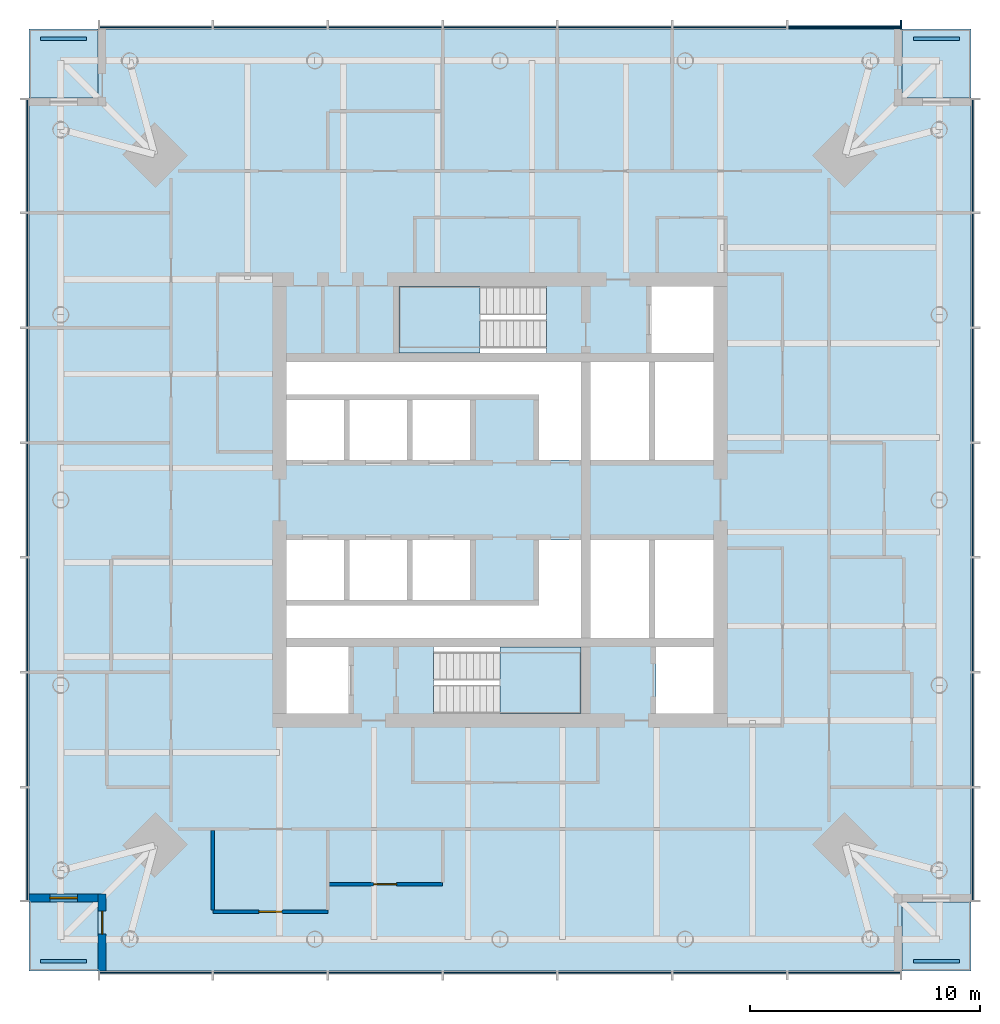
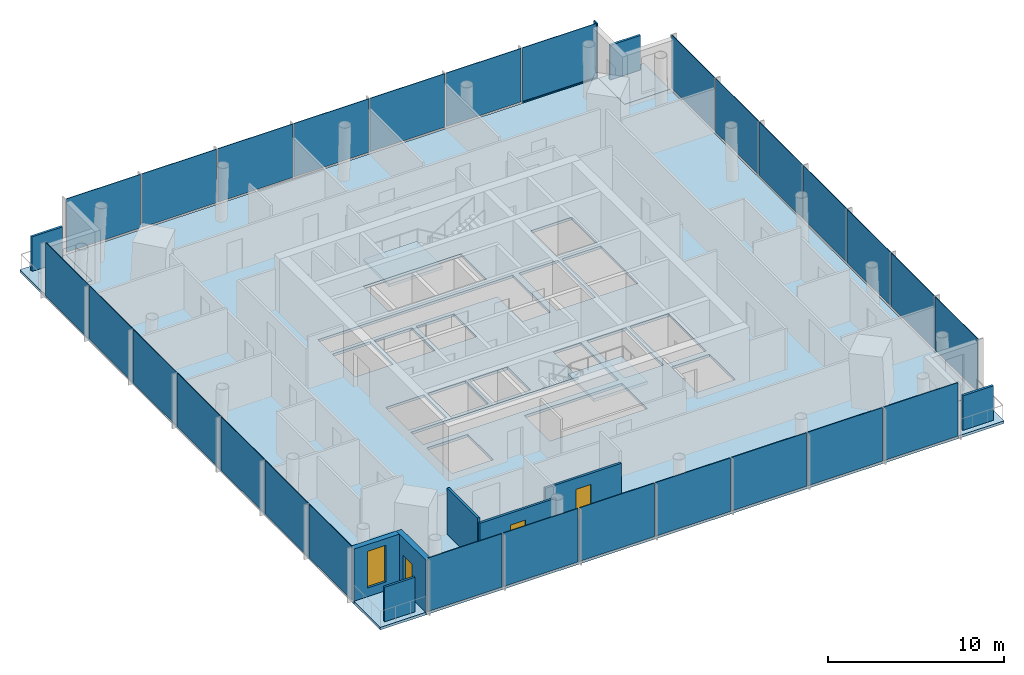
# One storey, part 3 of 8: 32 plates, 7 slabs, 5 walls, 3 doors, 2 members, 1 window, 4 openings, 6 elements without a shape of their own.
"""IFC4 building model written with IfcOpenShell, lengths in metres."""

import ifcopenshell
import ifcopenshell.guid

model = None  # the IFC model being written
_history = None  # IfcOwnerHistory: only IFC2X3 demands one
_inside = {}  # id of a spatial element -> (the spatial element, [elements in it])
_under = {}  # id of a project, library or spatial element -> (it, [spatial elements below it])
_declared = {}  # id of a project -> (the project, [libraries it declares])
_typed = {}  # id of a type object -> (the type object, [elements of that type])
_made_of = {}  # id of a material, layer set ... -> (it, [elements and type objects made of it])


def new_model(schema):
    """Start an empty IFC model of exactly this schema.

    Asked for "IFC4X3", IfcOpenShell would pick the latest addendum, in which some entities
    have other attributes; the version numbers below select the first issue.
    IFC2X3 requires an IfcOwnerHistory on every rooted entity: one is made here for all.
    """
    global model, _history
    if schema == "IFC4X3":
        model = ifcopenshell.file(schema_version=(4, 3, 0, 0))
    else:
        model = ifcopenshell.file(schema=schema)
    _inside.clear()
    _under.clear()
    _declared.clear()
    _typed.clear()
    _made_of.clear()
    _history = None
    if model.schema == "IFC2X3":
        org = make("IfcOrganization", Name="unknown")
        user = make(
            "IfcPersonAndOrganization",
            ThePerson=make("IfcPerson", FamilyName="unknown"),
            TheOrganization=org,
        )
        app = make(
            "IfcApplication",
            ApplicationDeveloper=org,
            Version="unknown",
            ApplicationFullName="unknown",
            ApplicationIdentifier="unknown",
        )
        _history = make(
            "IfcOwnerHistory",
            OwningUser=user,
            OwningApplication=app,
            ChangeAction="ADDED",
            CreationDate=0,
        )
    return model


def make(cls, **values):
    """One entity of the class cls with the attributes given. An attribute that is None is left unset."""
    return model.create_entity(
        cls, **{name: value for name, value in values.items() if value is not None}
    )


def rooted(cls, **values):
    """An entity with a GlobalId (a new one), such as an element, a storey or a relation."""
    return make(cls, GlobalId=ifcopenshell.guid.new(), OwnerHistory=_history, **values)


def si_unit(unit_type, name, prefix=None):
    """IfcSIUnit, for example si_unit("LENGTHUNIT", "METRE", prefix="MILLI")."""
    return make("IfcSIUnit", UnitType=unit_type, Prefix=prefix, Name=name)


def assignment(units):
    """IfcUnitAssignment: the units of a project."""
    return None if units is None else make("IfcUnitAssignment", Units=units)


def point(xyz):
    """IfcCartesianPoint."""
    return None if xyz is None else make("IfcCartesianPoint", Coordinates=xyz)


def direction(xyz):
    """IfcDirection."""
    return None if xyz is None else make("IfcDirection", DirectionRatios=xyz)


def frame(location, z_axis=None, x_axis=None):
    """IfcAxis2Placement3D, a coordinate frame: its origin and axes. An axis left out is left unset."""
    return make(
        "IfcAxis2Placement3D",
        Location=point(location),
        Axis=direction(z_axis),
        RefDirection=direction(x_axis),
    )


def frame_2d(location, x_axis=None):
    """IfcAxis2Placement2D, a coordinate frame in the plane: its origin and x axis."""
    return make(
        "IfcAxis2Placement2D", Location=point(location), RefDirection=direction(x_axis)
    )


def origin():
    """The frame at (0, 0, 0) with its axes left unset."""
    return frame((0.0, 0.0, 0.0))


def origin_2d():
    """The frame at (0, 0) in the plane with its x axis left unset."""
    return frame_2d((0.0, 0.0))


def place(relative_to, where):
    """IfcLocalPlacement: puts the frame where relative to a parent placement (None: the world)."""
    return make(
        "IfcLocalPlacement", PlacementRelTo=relative_to, RelativePlacement=where
    )


def context(
    kind, dimensions, precision=None, world=None, true_north=None, identifier=None
):
    """IfcGeometricRepresentationContext, for example the 3D "Model" context."""
    return make(
        "IfcGeometricRepresentationContext",
        ContextIdentifier=identifier,
        ContextType=kind,
        CoordinateSpaceDimension=dimensions,
        Precision=precision,
        WorldCoordinateSystem=world,
        TrueNorth=true_north,
    )


def subcontext(parent, identifier, kind, view, scale=None):
    """IfcGeometricRepresentationSubContext, for example "Body" below "Model"."""
    return make(
        "IfcGeometricRepresentationSubContext",
        ContextIdentifier=identifier,
        ContextType=kind,
        ParentContext=parent,
        TargetScale=scale,
        TargetView=view,
    )


def project(units=None, contexts=None):
    """IfcProject with its units and contexts."""
    return rooted(
        "IfcProject",
        Name="project",
        RepresentationContexts=contexts,
        UnitsInContext=assignment(units),
    )


def spatial(cls, under=None, at=None, **own):
    """A site, building, storey or space (cls), placed at a placement, below another one or the project."""
    s = rooted(cls, ObjectPlacement=at, **own)
    if under is not None:
        _under.setdefault(under.id(), (under, []))[1].append(s)
    return s


def polyline(points):
    """IfcPolyline through the points."""
    return make("IfcPolyline", Points=[point(p) for p in points])


def profile(cls, at=None, kind="AREA", **sizes):
    """A parametric profile (cls). Its sizes go by their IFC names, for example OverallWidth=200.0."""
    return make(cls, ProfileType=kind, Position=at, **sizes)


def rectangle(**sizes):
    """IfcRectangleProfileDef."""
    return profile("IfcRectangleProfileDef", **sizes)


def outline(outer, holes=None, kind="AREA"):
    """IfcArbitraryClosedProfileDef: a profile drawn as a closed curve; with holes, ...WithVoids."""
    if holes is None:
        return make("IfcArbitraryClosedProfileDef", ProfileType=kind, OuterCurve=outer)
    return make(
        "IfcArbitraryProfileDefWithVoids",
        ProfileType=kind,
        OuterCurve=outer,
        InnerCurves=holes,
    )


def extrude(swept, where, along, depth):
    """IfcExtrudedAreaSolid: the profile swept, set in the frame where, extruded along a direction by depth."""
    return make(
        "IfcExtrudedAreaSolid",
        SweptArea=swept,
        Position=where,
        ExtrudedDirection=direction(along),
        Depth=depth,
    )


def shape(context_of_items, identifier, shape_type, items):
    """IfcShapeRepresentation: the items that make up one representation, for example the "Body"."""
    return make(
        "IfcShapeRepresentation",
        ContextOfItems=context_of_items,
        RepresentationIdentifier=identifier,
        RepresentationType=shape_type,
        Items=items,
    )


def material(Name=None, Category=None):
    """IfcMaterial."""
    return make("IfcMaterial", Name=Name, Category=Category)


def layer(
    of_material, thickness, ventilated=None, Name=None, Category=None, Priority=None
):
    """IfcMaterialLayer: one layer of a wall or slab, of a material (None: an air gap)."""
    return make(
        "IfcMaterialLayer",
        Material=of_material,
        LayerThickness=thickness,
        IsVentilated=ventilated,
        Name=Name,
        Category=Category,
        Priority=Priority,
    )


def layer_set(layers, Name=None):
    """IfcMaterialLayerSet."""
    return make("IfcMaterialLayerSet", MaterialLayers=layers, LayerSetName=Name)


def material_profile(
    of_material, cross_section, Name=None, Category=None, Priority=None
):
    """IfcMaterialProfile: a cross section and its material."""
    return make(
        "IfcMaterialProfile",
        Name=Name,
        Material=of_material,
        Profile=cross_section,
        Priority=Priority,
        Category=Category,
    )


def profile_set(profiles, Name=None, composite=None):
    """IfcMaterialProfileSet."""
    return make(
        "IfcMaterialProfileSet",
        Name=Name,
        MaterialProfiles=profiles,
        CompositeProfile=composite,
    )


def made_of(thing, what):
    """Note that an element or type object is made of a material, layer set ...; save() writes the relation."""
    if what is not None:
        _made_of.setdefault(what.id(), (what, []))[1].append(thing)
    return thing


def type_object(cls, material=None, **own):
    """A type object (cls), such as IfcWallType, which elements share."""
    return made_of(rooted(cls, **own), material)


def element(
    cls,
    number,
    at=None,
    inside=None,
    cuts=None,
    type_object=None,
    material=None,
    context=None,
    identifier="Body",
    shape_type=None,
    held_by="IfcProductDefinitionShape",
    body=None,
    shapes=None,
    **own,
):
    """One element of the class cls, such as IfcWall. Its Tag is "e" and its number.

    at: its placement. inside: the storey or other place that contains it. cuts: it is an
    opening in that element (IfcRelVoidsElement). A single representation is given by context,
    identifier, shape_type and body (its items); several are given by shapes. held_by: the class
    of the entity that holds the representations. save() writes the other relations.
    """
    e = rooted(cls, Tag="e%d" % number, ObjectPlacement=at, **own)
    if body is not None:
        shapes = [shape(context, identifier, shape_type, body)]
    if shapes is not None:
        e.Representation = make(held_by, Representations=shapes)
    if inside is not None:
        _inside.setdefault(inside.id(), (inside, []))[1].append(e)
    if cuts is not None:
        rooted(
            "IfcRelVoidsElement", RelatingBuildingElement=cuts, RelatedOpeningElement=e
        )
    if type_object is not None:
        _typed.setdefault(type_object.id(), (type_object, []))[1].append(e)
    return made_of(e, material)


def fill(opening, filler):
    """IfcRelFillsElement: the door or window that sits in an opening."""
    return rooted(
        "IfcRelFillsElement",
        RelatingOpeningElement=opening,
        RelatedBuildingElement=filler,
    )


def aggregate(whole, parts):
    """IfcRelAggregates: a whole, such as a stair, and the parts it consists of."""
    return rooted("IfcRelAggregates", RelatingObject=whole, RelatedObjects=parts)


def save(model, path):
    """Write the relations noted so far, then the file.

    IfcRelAggregates (storeys below a building ...), IfcRelContainedInSpatialStructure (elements
    in a storey), IfcRelDefinesByType, IfcRelAssociatesMaterial and IfcRelDeclares: one each for
    every whole, place, type object, material and project.
    """
    for whole, parts in _under.values():
        aggregate(whole, parts)
    for where, things in _inside.values():
        rooted(
            "IfcRelContainedInSpatialStructure",
            RelatedElements=things,
            RelatingStructure=where,
        )
    for kind, things in _typed.values():
        rooted("IfcRelDefinesByType", RelatedObjects=things, RelatingType=kind)
    for what, things in _made_of.values():
        rooted("IfcRelAssociatesMaterial", RelatedObjects=things, RelatingMaterial=what)
    for by, libraries in _declared.values():
        rooted("IfcRelDeclares", RelatingContext=by, RelatedDefinitions=libraries)
    model.write(path)


model = new_model("IFC4")

# Units and contexts
model_context = context("Model", 3, precision=1e-05, world=origin(), true_north=direction((0.0, 1.0)))
body_context = subcontext(model_context, "Body", "Model", "MODEL_VIEW")
ifc_project = project(units=[si_unit("LENGTHUNIT", "METRE"), si_unit("AREAUNIT", "SQUARE_METRE"), si_unit("VOLUMEUNIT", "CUBIC_METRE"), si_unit("PLANEANGLEUNIT", "RADIAN"), si_unit("MASSUNIT", "GRAM", prefix="KILO")], contexts=[model_context])

# Site, building, storey
site_placement = place(None, origin())
site = spatial("IfcSite", under=ifc_project, at=site_placement, CompositionType="ELEMENT")
building_placement = place(site_placement, origin())
building = spatial("IfcBuilding", under=site, at=building_placement, Name="Ostroluk Exchange", CompositionType="ELEMENT")
storey_placement = place(building_placement, frame((0.0, 0.0, 173.0)))
storey = spatial("IfcBuildingStorey", under=building, at=storey_placement, Name="L44", CompositionType="ELEMENT", Elevation=173.0)

# Curtain wall, members
ifc_material_1 = material(Name="Laminated clear glass", Category="glass")
curtain_wall_type = type_object("IfcCurtainWallType", Name="Office tower facade", PredefinedType="USERDEFINED", material=ifc_material_1)
curtain_wall_1_placement = place(storey_placement, origin())
curtain_wall_1 = element("IfcCurtainWall", 1, at=curtain_wall_1_placement, inside=storey, type_object=curtain_wall_type, Name="Office tower north facade L44", ObjectType="UNITISED CURTAIN WALL", PredefinedType="USERDEFINED")
ifc_material_2 = material(Name="Aluminium mullion", Category="aluminium")
ifc_material_profile_1 = material_profile(ifc_material_2, rectangle(XDim=0.14990234375, YDim=0.080078125, at=origin_2d()), Name="Sill transom 80 x 150")
ifc_profile_set_1 = profile_set([ifc_material_profile_1], Name="Aluminium mullion")
member_type_1 = type_object("IfcMemberType", Name="Sill transom 80 x 150", PredefinedType="USERDEFINED", material=ifc_profile_set_1)
member_1_placement = place(storey_placement, frame((62.419921875, 66.574951171875, 0.0400390625), z_axis=(-1.0, 0.0, 0.0), x_axis=(0.0, -1.0, 0.0)))
member_1 = element("IfcMember", 2, at=member_1_placement, type_object=member_type_1, Name="CW-O1 transom 1.1", ObjectType="TRANSOM", PredefinedType="USERDEFINED", context=body_context, shape_type="SweptSolid", body=[
    extrude(rectangle(XDim=0.14990234375, YDim=0.080078125, at=origin_2d()), origin(), (0.0, 0.0, 1.0), 4.8798828125),
])
ifc_material_3 = material(Name="Aluminium mullion with limestone facing", Category="masonry")
ifc_material_profile_2 = material_profile(ifc_material_3, rectangle(XDim=0.39990234375, YDim=0.080078125, at=origin_2d()), Name="Tracery mullion 80 x 400")
ifc_profile_set_2 = profile_set([ifc_material_profile_2], Name="Aluminium mullion with limestone facing")
member_type_2 = type_object("IfcMemberType", Name="Tracery mullion 80 x 400", PredefinedType="MULLION", material=ifc_profile_set_2)
member_2_placement = place(storey_placement, frame((62.4599609375, 66.699951171875, 0.0), z_axis=(0.0, 0.0, 1.0), x_axis=(0.0, -1.0, 0.0)))
member_2 = element("IfcMember", 3, at=member_2_placement, type_object=member_type_2, Name="CW-O1 mullion 1", PredefinedType="MULLION", context=body_context, shape_type="SweptSolid", body=[
    extrude(rectangle(XDim=0.39990234375, YDim=0.080078125, at=origin_2d()), origin(), (0.0, 0.0, 1.0), 3.800048828125),
])

# Slabs
ifc_material_4 = material(Name="Concrete C35/45", Category="concrete")
ifc_layer_1 = layer(ifc_material_4, 0.179931640625)
ifc_layer_set_1 = layer_set([ifc_layer_1], Name="Balcony slab 180")
slab_type_1 = type_object("IfcSlabType", Name="Balcony slab 180", PredefinedType="USERDEFINED", material=ifc_layer_set_1)
slab_1_placement = place(storey_placement, frame((0.0, 0.0, -0.179931640625)))
element("IfcSlab", 4, at=slab_1_placement, inside=storey, type_object=slab_type_1, Name="Office tower SE corner balcony L44", ObjectType="BALCONY", PredefinedType="USERDEFINED", context=body_context, shape_type="SweptSolid", body=[
    extrude(outline(polyline([(62.5, 25.5), (65.5, 25.5), (65.5, 28.5), (62.5, 28.5), (62.5, 25.5)])), origin(), (0.0, 0.0, 1.0), 0.179931640625),
])
slab_2_placement = place(storey_placement, frame((0.0, 0.0, -0.179931640625)))
element("IfcSlab", 5, at=slab_2_placement, inside=storey, type_object=slab_type_1, Name="Office tower NE corner balcony L44", ObjectType="BALCONY", PredefinedType="USERDEFINED", context=body_context, shape_type="SweptSolid", body=[
    extrude(outline(polyline([(62.5, 63.5), (65.5, 63.5), (65.5, 66.5), (62.5, 66.5), (62.5, 63.5)])), origin(), (0.0, 0.0, 1.0), 0.179931640625),
])
slab_3_placement = place(storey_placement, frame((0.0, 0.0, -0.179931640625)))
element("IfcSlab", 6, at=slab_3_placement, inside=storey, type_object=slab_type_1, Name="Office tower NW corner balcony L44", ObjectType="BALCONY", PredefinedType="USERDEFINED", context=body_context, shape_type="SweptSolid", body=[
    extrude(outline(polyline([(24.5, 63.5), (27.5, 63.5), (27.5, 66.5), (24.5, 66.5), (24.5, 63.5)])), origin(), (0.0, 0.0, 1.0), 0.179931640625),
])
slab_4_placement = place(storey_placement, frame((0.0, 0.0, -0.179931640625)))
element("IfcSlab", 7, at=slab_4_placement, inside=storey, type_object=slab_type_1, Name="Office tower SW corner balcony L44", ObjectType="BALCONY", PredefinedType="USERDEFINED", context=body_context, shape_type="SweptSolid", body=[
    extrude(outline(polyline([(24.5, 25.5), (27.5, 25.5), (27.5, 28.5), (24.5, 28.5), (24.5, 25.5)])), origin(), (0.0, 0.0, 1.0), 0.179931640625),
])

# Plates
ifc_material_5 = material(Name="Steel S355 trellis with planting", Category="steel")
ifc_layer_2 = layer(ifc_material_5, 0.14990234375)
ifc_layer_set_2 = layer_set([ifc_layer_2], Name="Planted screen 150")
plate_type_1 = type_object("IfcPlateType", Name="Planted screen 150", PredefinedType="USERDEFINED", material=ifc_layer_set_2)
for number, where, z_axis, x_axis, name in (
    (8, (64.0, 25.925048828125, 0.0), (0.0, 0.0, 1.0), (1.0, 0.0, 0.0), "Office tower SE planted screen L44"),
    (9, (64.0, 66.074951171875, 0.0), (0.0, 0.0, 1.0), (1.0, 0.0, 0.0), "Office tower NE planted screen L44"),
    (10, (26.0, 66.074951171875, 0.0), (0.0, 0.0, 1.0), (1.0, 0.0, 0.0), "Office tower NW planted screen L44"),
    (11, (26.0, 25.925048828125, 0.0), (0.0, 0.0, 1.0), (1.0, 0.0, 0.0), "Office tower SW planted screen L44"),
):
    element("IfcPlate", number, at=place(storey_placement, frame(where, z_axis=z_axis, x_axis=x_axis)), inside=storey, type_object=plate_type_1, Name=name, ObjectType="PLANTED SCREEN", PredefinedType="USERDEFINED", context=body_context, shape_type="SweptSolid", body=[
        extrude(rectangle(XDim=2.0, YDim=0.14990234375, at=origin_2d()), origin(), (0.0, 0.0, 1.0), 2.39990234375),
    ])

# Stair, slab
ifc_material_6 = material(Name="Concrete C30/37", Category="concrete")
stair_type = type_object("IfcStairType", Name="Exit stair half turn 3800", PredefinedType="HALF_TURN_STAIR", material=ifc_material_6)
stair_1_placement = place(storey_placement, origin())
stair_1 = element("IfcStair", 12, at=stair_1_placement, inside=storey, type_object=stair_type, Name="Stair T1-S1 L44", PredefinedType="HALF_TURN_STAIR")
ifc_material_7 = material(Name="Concrete C30/37", Category="concrete")
ifc_layer_3 = layer(ifc_material_7, 0.199951171875)
ifc_layer_set_3 = layer_set([ifc_layer_3], Name="Stair landing 200")
slab_type_2 = type_object("IfcSlabType", Name="Stair landing 200", PredefinedType="LANDING", material=ifc_layer_set_3)
slab_5_placement = place(storey_placement, frame((0.0, 0.0, 1.699951171875)))
slab_5 = element("IfcSlab", 13, at=slab_5_placement, type_object=slab_type_2, Name="T1-S1 landing 1", PredefinedType="LANDING", context=body_context, shape_type="SweptSolid", body=[
    extrude(outline(polyline([(45.0, 36.699951171875), (45.0, 39.60009765625), (48.530029296875, 39.60009765625), (48.530029296875, 36.699951171875), (45.0, 36.699951171875)])), origin(), (0.0, 0.0, 1.0), 0.199951171875),
])
aggregate(stair_1, [slab_5])

stair_2_placement = place(storey_placement, origin())
stair_2 = element("IfcStair", 14, at=stair_2_placement, inside=storey, type_object=stair_type, Name="Stair T1-S2 L44", PredefinedType="HALF_TURN_STAIR")
slab_6_placement = place(storey_placement, frame((0.0, 0.0, 1.699951171875)))
slab_6 = element("IfcSlab", 15, at=slab_6_placement, type_object=slab_type_2, Name="T1-S2 landing 1", PredefinedType="LANDING", context=body_context, shape_type="SweptSolid", body=[
    extrude(outline(polyline([(44.1298828125, 52.39990234375), (44.1298828125, 55.300048828125), (40.60009765625, 55.300048828125), (40.60009765625, 52.39990234375), (44.1298828125, 52.39990234375)])), origin(), (0.0, 0.0, 1.0), 0.199951171875),
])
aggregate(stair_2, [slab_6])

# Slab
ifc_material_8 = material(Name="Concrete C35/45", Category="concrete")
ifc_layer_4 = layer(ifc_material_8, 0.179931640625)
ifc_layer_set_4 = layer_set([ifc_layer_4], Name="Tower floor slab 180 composite")
slab_type_3 = type_object("IfcSlabType", Name="Tower floor slab 180 composite", PredefinedType="FLOOR", material=ifc_layer_set_4)
slab_7_placement = place(storey_placement, frame((0.0, 0.0, -0.179931640625)))
element("IfcSlab", 16, at=slab_7_placement, inside=storey, type_object=slab_type_3, Name="Office tower floor slab L44", PredefinedType="FLOOR", context=body_context, shape_type="SweptSolid", body=[
    extrude(outline(polyline([(27.5, 25.5), (62.5, 25.5), (62.5, 28.5), (65.5, 28.5), (65.5, 63.5), (62.5, 63.5), (62.5, 66.5), (27.5, 66.5), (27.5, 63.5), (24.5, 63.5), (24.5, 28.5), (27.5, 28.5), (27.5, 25.5)]), holes=[polyline([(35.699951171875, 36.699951171875), (38.39990234375, 36.699951171875), (38.39990234375, 39.60009765625), (35.699951171875, 39.60009765625), (35.699951171875, 36.699951171875)]), polyline([(42.110107421875, 36.699951171875), (48.530029296875, 36.699951171875), (48.530029296875, 39.60009765625), (42.110107421875, 39.60009765625), (42.110107421875, 36.699951171875)]), polyline([(51.800048828125, 36.699951171875), (54.300048828125, 36.699951171875), (54.300048828125, 39.60009765625), (51.800048828125, 39.60009765625), (51.800048828125, 36.699951171875)]), polyline([(40.60009765625, 52.39990234375), (47.02001953125, 52.39990234375), (47.02001953125, 55.300048828125), (40.60009765625, 55.300048828125), (40.60009765625, 52.39990234375)]), polyline([(51.60009765625, 52.39990234375), (54.300048828125, 52.39990234375), (54.300048828125, 55.300048828125), (51.60009765625, 55.300048828125), (51.60009765625, 52.39990234375)]), polyline([(35.699951171875, 47.75), (38.199951171875, 47.75), (38.199951171875, 50.35009765625), (35.699951171875, 50.35009765625), (35.699951171875, 47.75)]), polyline([(38.449951171875, 47.75), (40.949951171875, 47.75), (40.949951171875, 50.35009765625), (38.449951171875, 50.35009765625), (38.449951171875, 47.75)]), polyline([(41.199951171875, 47.75), (43.699951171875, 47.75), (43.699951171875, 50.35009765625), (41.199951171875, 50.35009765625), (41.199951171875, 47.75)]), polyline([(35.699951171875, 41.64990234375), (38.199951171875, 41.64990234375), (38.199951171875, 44.25), (35.699951171875, 44.25), (35.699951171875, 41.64990234375)]), polyline([(38.449951171875, 41.64990234375), (40.949951171875, 41.64990234375), (40.949951171875, 44.25), (38.449951171875, 44.25), (38.449951171875, 41.64990234375)]), polyline([(41.199951171875, 41.64990234375), (43.699951171875, 41.64990234375), (43.699951171875, 44.25), (41.199951171875, 44.25), (41.199951171875, 41.64990234375)]), polyline([(48.929931640625, 47.75), (51.489990234375, 47.75), (51.489990234375, 52.0), (48.929931640625, 52.0), (48.929931640625, 47.75)]), polyline([(51.739990234375, 47.75), (54.300048828125, 47.75), (54.300048828125, 52.0), (51.739990234375, 52.0), (51.739990234375, 47.75)]), polyline([(48.929931640625, 40.0), (51.489990234375, 40.0), (51.489990234375, 44.25), (48.929931640625, 44.25), (48.929931640625, 40.0)]), polyline([(51.739990234375, 40.0), (54.300048828125, 40.0), (54.300048828125, 44.25), (51.739990234375, 44.25), (51.739990234375, 40.0)]), polyline([(48.530029296875, 52.0), (48.530029296875, 47.75), (46.699951171875, 47.75), (46.699951171875, 50.60009765625), (35.699951171875, 50.60009765625), (35.699951171875, 52.0), (48.530029296875, 52.0)]), polyline([(35.699951171875, 40.0), (35.699951171875, 41.39990234375), (46.699951171875, 41.39990234375), (46.699951171875, 44.25), (48.530029296875, 44.25), (48.530029296875, 40.0), (35.699951171875, 40.0)])]), origin(), (0.0, 0.0, 1.0), 0.179931640625),
])

# Curtain wall, plates
curtain_wall_2_placement = place(storey_placement, origin())
curtain_wall_2 = element("IfcCurtainWall", 17, at=curtain_wall_2_placement, inside=storey, type_object=curtain_wall_type, Name="Office tower south facade L44", ObjectType="UNITISED CURTAIN WALL", PredefinedType="USERDEFINED")
ifc_material_9 = material(Name="Laminated clear glass", Category="glass")
ifc_layer_5 = layer(ifc_material_9, 0.0439453125)
ifc_layer_set_5 = layer_set([ifc_layer_5], Name="Triple laminated clear glazing 44")
plate_type_2 = type_object("IfcPlateType", Name="Triple laminated clear glazing 44", PredefinedType="CURTAIN_PANEL", material=ifc_layer_set_5)
plate_1_placement = place(storey_placement, frame((30.02001953125, 25.425048828125, 0.080078125), z_axis=(0.0, 0.0, 1.0), x_axis=(1.0, 0.0, 0.0)))
plate_1 = element("IfcPlate", 18, at=plate_1_placement, type_object=plate_type_2, Name="CW-O1 panel 1.1", PredefinedType="CURTAIN_PANEL", context=body_context, shape_type="SweptSolid", body=[
    extrude(rectangle(XDim=4.8798828125, YDim=0.0439453125, at=origin_2d()), origin(), (0.0, 0.0, 1.0), 3.719970703125),
])
plate_2_placement = place(storey_placement, frame((35.0, 25.425048828125, 0.080078125), z_axis=(0.0, 0.0, 1.0), x_axis=(1.0, 0.0, 0.0)))
plate_2 = element("IfcPlate", 19, at=plate_2_placement, type_object=plate_type_2, Name="CW-O1 panel 2.1", PredefinedType="CURTAIN_PANEL", context=body_context, shape_type="SweptSolid", body=[
    extrude(rectangle(XDim=4.919921875, YDim=0.0439453125, at=origin_2d()), origin(), (0.0, 0.0, 1.0), 3.719970703125),
])
plate_3_placement = place(storey_placement, frame((40.0, 25.425048828125, 0.080078125), z_axis=(0.0, 0.0, 1.0), x_axis=(1.0, 0.0, 0.0)))
plate_3 = element("IfcPlate", 20, at=plate_3_placement, type_object=plate_type_2, Name="CW-O1 panel 3.1", PredefinedType="CURTAIN_PANEL", context=body_context, shape_type="SweptSolid", body=[
    extrude(rectangle(XDim=4.919921875, YDim=0.0439453125, at=origin_2d()), origin(), (0.0, 0.0, 1.0), 3.719970703125),
])
plate_4_placement = place(storey_placement, frame((45.0, 25.425048828125, 0.080078125), z_axis=(0.0, 0.0, 1.0), x_axis=(1.0, 0.0, 0.0)))
plate_4 = element("IfcPlate", 21, at=plate_4_placement, type_object=plate_type_2, Name="CW-O1 panel 4.1", PredefinedType="CURTAIN_PANEL", context=body_context, shape_type="SweptSolid", body=[
    extrude(rectangle(XDim=4.919921875, YDim=0.0439453125, at=origin_2d()), origin(), (0.0, 0.0, 1.0), 3.719970703125),
])
plate_5_placement = place(storey_placement, frame((50.0, 25.425048828125, 0.080078125), z_axis=(0.0, 0.0, 1.0), x_axis=(1.0, 0.0, 0.0)))
plate_5 = element("IfcPlate", 22, at=plate_5_placement, type_object=plate_type_2, Name="CW-O1 panel 5.1", PredefinedType="CURTAIN_PANEL", context=body_context, shape_type="SweptSolid", body=[
    extrude(rectangle(XDim=4.919921875, YDim=0.0439453125, at=origin_2d()), origin(), (0.0, 0.0, 1.0), 3.719970703125),
])
plate_6_placement = place(storey_placement, frame((55.0, 25.425048828125, 0.080078125), z_axis=(0.0, 0.0, 1.0), x_axis=(1.0, 0.0, 0.0)))
plate_6 = element("IfcPlate", 23, at=plate_6_placement, type_object=plate_type_2, Name="CW-O1 panel 6.1", PredefinedType="CURTAIN_PANEL", context=body_context, shape_type="SweptSolid", body=[
    extrude(rectangle(XDim=4.919921875, YDim=0.0439453125, at=origin_2d()), origin(), (0.0, 0.0, 1.0), 3.719970703125),
])
plate_7_placement = place(storey_placement, frame((59.97998046875, 25.425048828125, 0.080078125), z_axis=(0.0, 0.0, 1.0), x_axis=(1.0, 0.0, 0.0)))
plate_7 = element("IfcPlate", 24, at=plate_7_placement, type_object=plate_type_2, Name="CW-O1 panel 7.1", PredefinedType="CURTAIN_PANEL", context=body_context, shape_type="SweptSolid", body=[
    extrude(rectangle(XDim=4.8798828125, YDim=0.0439453125, at=origin_2d()), origin(), (0.0, 0.0, 1.0), 3.719970703125),
])
aggregate(curtain_wall_2, [plate_1, plate_2, plate_3, plate_4, plate_5, plate_6, plate_7])

curtain_wall_3_placement = place(storey_placement, origin())
curtain_wall_3 = element("IfcCurtainWall", 25, at=curtain_wall_3_placement, inside=storey, type_object=curtain_wall_type, Name="Office tower east facade L44", ObjectType="UNITISED CURTAIN WALL", PredefinedType="USERDEFINED")
plate_8_placement = place(storey_placement, frame((65.574951171875, 31.02001953125, 0.080078125), z_axis=(0.0, 0.0, 1.0), x_axis=(0.0, 1.0, 0.0)))
plate_8 = element("IfcPlate", 26, at=plate_8_placement, type_object=plate_type_2, Name="CW-O1 panel 1.1", PredefinedType="CURTAIN_PANEL", context=body_context, shape_type="SweptSolid", body=[
    extrude(rectangle(XDim=4.8798828125, YDim=0.0439453125, at=origin_2d()), origin(), (0.0, 0.0, 1.0), 3.719970703125),
])
plate_9_placement = place(storey_placement, frame((65.574951171875, 36.0, 0.080078125), z_axis=(0.0, 0.0, 1.0), x_axis=(0.0, 1.0, 0.0)))
plate_9 = element("IfcPlate", 27, at=plate_9_placement, type_object=plate_type_2, Name="CW-O1 panel 2.1", PredefinedType="CURTAIN_PANEL", context=body_context, shape_type="SweptSolid", body=[
    extrude(rectangle(XDim=4.919921875, YDim=0.0439453125, at=origin_2d()), origin(), (0.0, 0.0, 1.0), 3.719970703125),
])
plate_10_placement = place(storey_placement, frame((65.574951171875, 41.0, 0.080078125), z_axis=(0.0, 0.0, 1.0), x_axis=(0.0, 1.0, 0.0)))
plate_10 = element("IfcPlate", 28, at=plate_10_placement, type_object=plate_type_2, Name="CW-O1 panel 3.1", PredefinedType="CURTAIN_PANEL", context=body_context, shape_type="SweptSolid", body=[
    extrude(rectangle(XDim=4.919921875, YDim=0.0439453125, at=origin_2d()), origin(), (0.0, 0.0, 1.0), 3.719970703125),
])
plate_11_placement = place(storey_placement, frame((65.574951171875, 46.0, 0.080078125), z_axis=(0.0, 0.0, 1.0), x_axis=(0.0, 1.0, 0.0)))
plate_11 = element("IfcPlate", 29, at=plate_11_placement, type_object=plate_type_2, Name="CW-O1 panel 4.1", PredefinedType="CURTAIN_PANEL", context=body_context, shape_type="SweptSolid", body=[
    extrude(rectangle(XDim=4.919921875, YDim=0.0439453125, at=origin_2d()), origin(), (0.0, 0.0, 1.0), 3.719970703125),
])
plate_12_placement = place(storey_placement, frame((65.574951171875, 51.0, 0.080078125), z_axis=(0.0, 0.0, 1.0), x_axis=(0.0, 1.0, 0.0)))
plate_12 = element("IfcPlate", 30, at=plate_12_placement, type_object=plate_type_2, Name="CW-O1 panel 5.1", PredefinedType="CURTAIN_PANEL", context=body_context, shape_type="SweptSolid", body=[
    extrude(rectangle(XDim=4.919921875, YDim=0.0439453125, at=origin_2d()), origin(), (0.0, 0.0, 1.0), 3.719970703125),
])
plate_13_placement = place(storey_placement, frame((65.574951171875, 56.0, 0.080078125), z_axis=(0.0, 0.0, 1.0), x_axis=(0.0, 1.0, 0.0)))
plate_13 = element("IfcPlate", 31, at=plate_13_placement, type_object=plate_type_2, Name="CW-O1 panel 6.1", PredefinedType="CURTAIN_PANEL", context=body_context, shape_type="SweptSolid", body=[
    extrude(rectangle(XDim=4.919921875, YDim=0.0439453125, at=origin_2d()), origin(), (0.0, 0.0, 1.0), 3.719970703125),
])
plate_14_placement = place(storey_placement, frame((65.574951171875, 60.97998046875, 0.080078125), z_axis=(0.0, 0.0, 1.0), x_axis=(0.0, 1.0, 0.0)))
plate_14 = element("IfcPlate", 32, at=plate_14_placement, type_object=plate_type_2, Name="CW-O1 panel 7.1", PredefinedType="CURTAIN_PANEL", context=body_context, shape_type="SweptSolid", body=[
    extrude(rectangle(XDim=4.8798828125, YDim=0.0439453125, at=origin_2d()), origin(), (0.0, 0.0, 1.0), 3.719970703125),
])
aggregate(curtain_wall_3, [plate_8, plate_9, plate_10, plate_11, plate_12, plate_13, plate_14])

# Plate
plate_15_placement = place(storey_placement, frame((59.97998046875, 66.574951171875, 0.080078125), z_axis=(0.0, 0.0, 1.0), x_axis=(-1.0, 0.0, 0.0)))
plate_15 = element("IfcPlate", 33, at=plate_15_placement, type_object=plate_type_2, Name="CW-O1 panel 1.1", PredefinedType="CURTAIN_PANEL", context=body_context, shape_type="SweptSolid", body=[
    extrude(rectangle(XDim=4.8798828125, YDim=0.0439453125, at=origin_2d()), origin(), (0.0, 0.0, 1.0), 3.719970703125),
])

plate_16_placement = place(storey_placement, frame((55.0, 66.574951171875, 0.080078125), z_axis=(0.0, 0.0, 1.0), x_axis=(-1.0, 0.0, 0.0)))
plate_16 = element("IfcPlate", 34, at=plate_16_placement, type_object=plate_type_2, Name="CW-O1 panel 2.1", PredefinedType="CURTAIN_PANEL", context=body_context, shape_type="SweptSolid", body=[
    extrude(rectangle(XDim=4.919921875, YDim=0.0439453125, at=origin_2d()), origin(), (0.0, 0.0, 1.0), 3.719970703125),
])

plate_17_placement = place(storey_placement, frame((50.0, 66.574951171875, 0.080078125), z_axis=(0.0, 0.0, 1.0), x_axis=(-1.0, 0.0, 0.0)))
plate_17 = element("IfcPlate", 35, at=plate_17_placement, type_object=plate_type_2, Name="CW-O1 panel 3.1", PredefinedType="CURTAIN_PANEL", context=body_context, shape_type="SweptSolid", body=[
    extrude(rectangle(XDim=4.919921875, YDim=0.0439453125, at=origin_2d()), origin(), (0.0, 0.0, 1.0), 3.719970703125),
])

plate_18_placement = place(storey_placement, frame((45.0, 66.574951171875, 0.080078125), z_axis=(0.0, 0.0, 1.0), x_axis=(-1.0, 0.0, 0.0)))
plate_18 = element("IfcPlate", 36, at=plate_18_placement, type_object=plate_type_2, Name="CW-O1 panel 4.1", PredefinedType="CURTAIN_PANEL", context=body_context, shape_type="SweptSolid", body=[
    extrude(rectangle(XDim=4.919921875, YDim=0.0439453125, at=origin_2d()), origin(), (0.0, 0.0, 1.0), 3.719970703125),
])

plate_19_placement = place(storey_placement, frame((40.0, 66.574951171875, 0.080078125), z_axis=(0.0, 0.0, 1.0), x_axis=(-1.0, 0.0, 0.0)))
plate_19 = element("IfcPlate", 37, at=plate_19_placement, type_object=plate_type_2, Name="CW-O1 panel 5.1", PredefinedType="CURTAIN_PANEL", context=body_context, shape_type="SweptSolid", body=[
    extrude(rectangle(XDim=4.919921875, YDim=0.0439453125, at=origin_2d()), origin(), (0.0, 0.0, 1.0), 3.719970703125),
])

plate_20_placement = place(storey_placement, frame((35.0, 66.574951171875, 0.080078125), z_axis=(0.0, 0.0, 1.0), x_axis=(-1.0, 0.0, 0.0)))
plate_20 = element("IfcPlate", 38, at=plate_20_placement, type_object=plate_type_2, Name="CW-O1 panel 6.1", PredefinedType="CURTAIN_PANEL", context=body_context, shape_type="SweptSolid", body=[
    extrude(rectangle(XDim=4.919921875, YDim=0.0439453125, at=origin_2d()), origin(), (0.0, 0.0, 1.0), 3.719970703125),
])

plate_21_placement = place(storey_placement, frame((30.02001953125, 66.574951171875, 0.080078125), z_axis=(0.0, 0.0, 1.0), x_axis=(-1.0, 0.0, 0.0)))
plate_21 = element("IfcPlate", 39, at=plate_21_placement, type_object=plate_type_2, Name="CW-O1 panel 7.1", PredefinedType="CURTAIN_PANEL", context=body_context, shape_type="SweptSolid", body=[
    extrude(rectangle(XDim=4.8798828125, YDim=0.0439453125, at=origin_2d()), origin(), (0.0, 0.0, 1.0), 3.719970703125),
])

aggregate(curtain_wall_1, [member_2, member_1, plate_15, plate_16, plate_17, plate_18, plate_19, plate_20, plate_21])

# Curtain wall, plates
curtain_wall_4_placement = place(storey_placement, origin())
curtain_wall_4 = element("IfcCurtainWall", 40, at=curtain_wall_4_placement, inside=storey, type_object=curtain_wall_type, Name="Office tower west facade L44", ObjectType="UNITISED CURTAIN WALL", PredefinedType="USERDEFINED")
plate_22_placement = place(storey_placement, frame((24.425048828125, 60.97998046875, 0.080078125), z_axis=(0.0, 0.0, 1.0), x_axis=(0.0, -1.0, 0.0)))
plate_22 = element("IfcPlate", 41, at=plate_22_placement, type_object=plate_type_2, Name="CW-O1 panel 1.1", PredefinedType="CURTAIN_PANEL", context=body_context, shape_type="SweptSolid", body=[
    extrude(rectangle(XDim=4.8798828125, YDim=0.0439453125, at=origin_2d()), origin(), (0.0, 0.0, 1.0), 3.719970703125),
])
plate_23_placement = place(storey_placement, frame((24.425048828125, 56.0, 0.080078125), z_axis=(0.0, 0.0, 1.0), x_axis=(0.0, -1.0, 0.0)))
plate_23 = element("IfcPlate", 42, at=plate_23_placement, type_object=plate_type_2, Name="CW-O1 panel 2.1", PredefinedType="CURTAIN_PANEL", context=body_context, shape_type="SweptSolid", body=[
    extrude(rectangle(XDim=4.919921875, YDim=0.0439453125, at=origin_2d()), origin(), (0.0, 0.0, 1.0), 3.719970703125),
])
plate_24_placement = place(storey_placement, frame((24.425048828125, 51.0, 0.080078125), z_axis=(0.0, 0.0, 1.0), x_axis=(0.0, -1.0, 0.0)))
plate_24 = element("IfcPlate", 43, at=plate_24_placement, type_object=plate_type_2, Name="CW-O1 panel 3.1", PredefinedType="CURTAIN_PANEL", context=body_context, shape_type="SweptSolid", body=[
    extrude(rectangle(XDim=4.919921875, YDim=0.0439453125, at=origin_2d()), origin(), (0.0, 0.0, 1.0), 3.719970703125),
])
plate_25_placement = place(storey_placement, frame((24.425048828125, 46.0, 0.080078125), z_axis=(0.0, 0.0, 1.0), x_axis=(0.0, -1.0, 0.0)))
plate_25 = element("IfcPlate", 44, at=plate_25_placement, type_object=plate_type_2, Name="CW-O1 panel 4.1", PredefinedType="CURTAIN_PANEL", context=body_context, shape_type="SweptSolid", body=[
    extrude(rectangle(XDim=4.919921875, YDim=0.0439453125, at=origin_2d()), origin(), (0.0, 0.0, 1.0), 3.719970703125),
])
plate_26_placement = place(storey_placement, frame((24.425048828125, 41.0, 0.080078125), z_axis=(0.0, 0.0, 1.0), x_axis=(0.0, -1.0, 0.0)))
plate_26 = element("IfcPlate", 45, at=plate_26_placement, type_object=plate_type_2, Name="CW-O1 panel 5.1", PredefinedType="CURTAIN_PANEL", context=body_context, shape_type="SweptSolid", body=[
    extrude(rectangle(XDim=4.919921875, YDim=0.0439453125, at=origin_2d()), origin(), (0.0, 0.0, 1.0), 3.719970703125),
])
plate_27_placement = place(storey_placement, frame((24.425048828125, 36.0, 0.080078125), z_axis=(0.0, 0.0, 1.0), x_axis=(0.0, -1.0, 0.0)))
plate_27 = element("IfcPlate", 46, at=plate_27_placement, type_object=plate_type_2, Name="CW-O1 panel 6.1", PredefinedType="CURTAIN_PANEL", context=body_context, shape_type="SweptSolid", body=[
    extrude(rectangle(XDim=4.919921875, YDim=0.0439453125, at=origin_2d()), origin(), (0.0, 0.0, 1.0), 3.719970703125),
])
plate_28_placement = place(storey_placement, frame((24.425048828125, 31.02001953125, 0.080078125), z_axis=(0.0, 0.0, 1.0), x_axis=(0.0, -1.0, 0.0)))
plate_28 = element("IfcPlate", 47, at=plate_28_placement, type_object=plate_type_2, Name="CW-O1 panel 7.1", PredefinedType="CURTAIN_PANEL", context=body_context, shape_type="SweptSolid", body=[
    extrude(rectangle(XDim=4.8798828125, YDim=0.0439453125, at=origin_2d()), origin(), (0.0, 0.0, 1.0), 3.719970703125),
])
aggregate(curtain_wall_4, [plate_22, plate_23, plate_24, plate_25, plate_26, plate_27, plate_28])

# Wall, opening, door
ifc_material_10 = material(Name="Limestone", Category="masonry")
ifc_layer_6 = layer(ifc_material_10, 0.35009765625)
ifc_layer_set_6 = layer_set([ifc_layer_6], Name="Limestone facade wall 350")
wall_type_1 = type_object("IfcWallType", Name="Limestone facade wall 350", PredefinedType="SOLIDWALL", material=ifc_layer_set_6)
wall_1_placement = place(storey_placement, frame((27.675048828125, 25.5, 0.0), z_axis=(0.0, 0.0, 1.0), x_axis=(0.0, 1.0, 0.0)))
wall_1 = element("IfcWall", 48, at=wall_1_placement, inside=storey, type_object=wall_type_1, Name="Office tower SW corner wall L44 a", PredefinedType="SOLIDWALL", context=body_context, shape_type="SweptSolid", body=[
    extrude(rectangle(XDim=3.35009765625, YDim=0.35009765625, at=frame_2d((1.675048828125, 0.0))), origin(), (0.0, 0.0, 1.0), 3.6201171875),
])
opening_1_placement = place(wall_1_placement, frame((1.60009765625, 0.0, 0.0)))
opening_1 = element("IfcOpeningElement", 49, at=opening_1_placement, cuts=wall_1, Name="Opening D-B1", PredefinedType="OPENING", context=body_context, shape_type="SweptSolid", body=[
    extrude(rectangle(XDim=1.0, YDim=2.39990234375, at=frame_2d((0.5, 1.199951171875))), frame((0.0, 0.18505859375, 0.0), z_axis=(0.0, -1.0, 0.0), x_axis=(1.0, 0.0, 0.0)), (0.0, 0.0, 1.0), 0.3701171875),
])
ifc_material_11 = material(Name="Bronze framed glazed door", Category="aluminium")
door_type_1 = type_object("IfcDoorType", Name="Balcony door 1000 x 2400", OperationType="SINGLE_SWING_LEFT", PredefinedType="DOOR", material=ifc_material_11)
door_1_placement = place(opening_1_placement, origin())
door_1 = element("IfcDoor", 50, at=door_1_placement, inside=storey, type_object=door_type_1, Name="Office tower SW balcony door L44", OperationType="SINGLE_SWING_RIGHT", OverallHeight=2.39990234375, OverallWidth=1.0, PredefinedType="DOOR", context=body_context, shape_type="SweptSolid", body=[
    extrude(rectangle(XDim=1.0, YDim=2.39990234375, at=frame_2d((0.5, 1.199951171875))), frame((0.0, 0.02490234375, 0.0), z_axis=(0.0, -1.0, 0.0), x_axis=(1.0, 0.0, 0.0)), (0.0, 0.0, 1.0), 0.050048828125),
])
fill(opening_1, door_1)

# Wall, opening, window
wall_2_placement = place(storey_placement, frame((27.5, 28.675048828125, 0.0), z_axis=(0.0, 0.0, 1.0), x_axis=(-1.0, 0.0, 0.0)))
wall_2 = element("IfcWall", 51, at=wall_2_placement, inside=storey, type_object=wall_type_1, Name="Office tower SW corner wall L44 b", PredefinedType="SOLIDWALL", context=body_context, shape_type="SweptSolid", body=[
    extrude(rectangle(XDim=3.0, YDim=0.35009765625, at=frame_2d((1.5, 0.0))), origin(), (0.0, 0.0, 1.0), 3.6201171875),
])
opening_2_placement = place(wall_2_placement, frame((0.89990234375, 0.0, 0.60009765625)))
opening_2 = element("IfcOpeningElement", 52, at=opening_2_placement, cuts=wall_2, Name="Opening WN-L1", PredefinedType="OPENING", context=body_context, shape_type="SweptSolid", body=[
    extrude(rectangle(XDim=1.199951171875, YDim=2.550048828125, at=frame_2d((0.60009765625, 1.27490234375))), frame((0.0, 0.18505859375, 0.0), z_axis=(0.0, -1.0, 0.0), x_axis=(1.0, 0.0, 0.0)), (0.0, 0.0, 1.0), 0.3701171875),
])
ifc_material_12 = material(Name="Laminated clear glass", Category="glass")
window_type = type_object("IfcWindowType", Name="Lancet window 1200 x 2550", PartitioningType="SINGLE_PANEL", PredefinedType="WINDOW", material=ifc_material_12)
window_placement = place(opening_2_placement, origin())
window = element("IfcWindow", 53, at=window_placement, inside=storey, type_object=window_type, Name="Office tower SW lancet window L44", OverallHeight=2.550048828125, OverallWidth=1.199951171875, PartitioningType="SINGLE_PANEL", PredefinedType="WINDOW", context=body_context, shape_type="SweptSolid", body=[
    extrude(rectangle(XDim=1.199951171875, YDim=2.550048828125, at=frame_2d((0.60009765625, 1.27490234375))), frame((0.0, 0.030029296875, 0.0), z_axis=(0.0, -1.0, 0.0), x_axis=(1.0, 0.0, 0.0)), (0.0, 0.0, 1.0), 0.06005859375),
])
fill(opening_2, window)

# Wall, opening, door
ifc_material_13 = material(Name="Gypsum plasterboard partition", Category="gypsum")
ifc_layer_7 = layer(ifc_material_13, 0.14990234375)
ifc_layer_set_7 = layer_set([ifc_layer_7], Name="Plasterboard partition 150")
wall_type_2 = type_object("IfcWallType", Name="Plasterboard partition 150", PredefinedType="PARTITIONING", material=ifc_layer_set_7)
wall_3_placement = place(storey_placement, frame((32.5, 28.071533203125, 0.0), z_axis=(0.0, 0.0, 1.0), x_axis=(1.0, 0.0, 0.0)))
wall_3 = element("IfcWall", 54, at=wall_3_placement, inside=storey, type_object=wall_type_2, Name="Partition", PredefinedType="PARTITIONING", context=body_context, shape_type="SweptSolid", body=[
    extrude(rectangle(XDim=5.0, YDim=0.14990234375, at=frame_2d((2.5, 0.0))), origin(), (0.0, 0.0, 1.0), 2.919921875),
])
opening_3_placement = place(wall_3_placement, frame((2.0, 0.0, 0.0)))
opening_3 = element("IfcOpeningElement", 55, at=opening_3_placement, cuts=wall_3, Name="Opening D-03", PredefinedType="OPENING", context=body_context, shape_type="SweptSolid", body=[
    extrude(rectangle(XDim=1.0, YDim=2.10009765625, at=frame_2d((0.5, 1.050048828125))), frame((0.0, 0.0849609375, 0.0), z_axis=(0.0, -1.0, 0.0), x_axis=(1.0, 0.0, 0.0)), (0.0, 0.0, 1.0), 0.169921875),
])
ifc_material_14 = material(Name="Timber", Category="wood")
door_type_2 = type_object("IfcDoorType", Name="Internal door 1000 x 2100", OperationType="SINGLE_SWING_LEFT", PredefinedType="DOOR", material=ifc_material_14)
door_2_placement = place(opening_3_placement, origin())
door_2 = element("IfcDoor", 56, at=door_2_placement, inside=storey, type_object=door_type_2, Name="Office reception door", OperationType="SINGLE_SWING_LEFT", OverallHeight=2.10009765625, OverallWidth=1.0, PredefinedType="DOOR", context=body_context, shape_type="SweptSolid", body=[
    extrude(rectangle(XDim=1.0, YDim=2.10009765625, at=frame_2d((0.5, 1.050048828125))), frame((0.0, 0.02490234375, 0.0), z_axis=(0.0, -1.0, 0.0), x_axis=(1.0, 0.0, 0.0)), (0.0, 0.0, 1.0), 0.050048828125),
])
fill(opening_3, door_2)

wall_4_placement = place(storey_placement, frame((37.5, 29.272705078125, 0.0), z_axis=(0.0, 0.0, 1.0), x_axis=(1.0, 0.0, 0.0)))
wall_4 = element("IfcWall", 57, at=wall_4_placement, inside=storey, type_object=wall_type_2, Name="Partition", PredefinedType="PARTITIONING", context=body_context, shape_type="SweptSolid", body=[
    extrude(rectangle(XDim=5.0, YDim=0.14990234375, at=frame_2d((2.5, 0.0))), origin(), (0.0, 0.0, 1.0), 2.866943359375),
])
opening_4_placement = place(wall_4_placement, frame((2.0, 0.0, 0.0)))
opening_4 = element("IfcOpeningElement", 58, at=opening_4_placement, cuts=wall_4, Name="Opening D-03", PredefinedType="OPENING", context=body_context, shape_type="SweptSolid", body=[
    extrude(rectangle(XDim=1.0, YDim=2.10009765625, at=frame_2d((0.5, 1.050048828125))), frame((0.0, 0.0849609375, 0.0), z_axis=(0.0, -1.0, 0.0), x_axis=(1.0, 0.0, 0.0)), (0.0, 0.0, 1.0), 0.169921875),
])
door_3_placement = place(opening_4_placement, origin())
door_3 = element("IfcDoor", 59, at=door_3_placement, inside=storey, type_object=door_type_2, Name="Pantry door", OperationType="SINGLE_SWING_LEFT", OverallHeight=2.10009765625, OverallWidth=1.0, PredefinedType="DOOR", context=body_context, shape_type="SweptSolid", body=[
    extrude(rectangle(XDim=1.0, YDim=2.10009765625, at=frame_2d((0.5, 1.050048828125))), frame((0.0, 0.02490234375, 0.0), z_axis=(0.0, -1.0, 0.0), x_axis=(1.0, 0.0, 0.0)), (0.0, 0.0, 1.0), 0.050048828125),
])
fill(opening_4, door_3)

# Wall
wall_5_placement = place(storey_placement, frame((32.5, 31.60009765625, 0.0), z_axis=(0.0, 0.0, 1.0), x_axis=(0.0, -1.0, 0.0)))
element("IfcWall", 60, at=wall_5_placement, inside=storey, type_object=wall_type_2, Name="Partition", PredefinedType="PARTITIONING", context=body_context, shape_type="SweptSolid", body=[
    extrude(rectangle(XDim=3.45361328125, YDim=0.14990234375, at=frame_2d((1.726806640625, 0.0))), origin(), (0.0, 0.0, 1.0), 3.219970703125),
])

save(model, "model.ifc")
